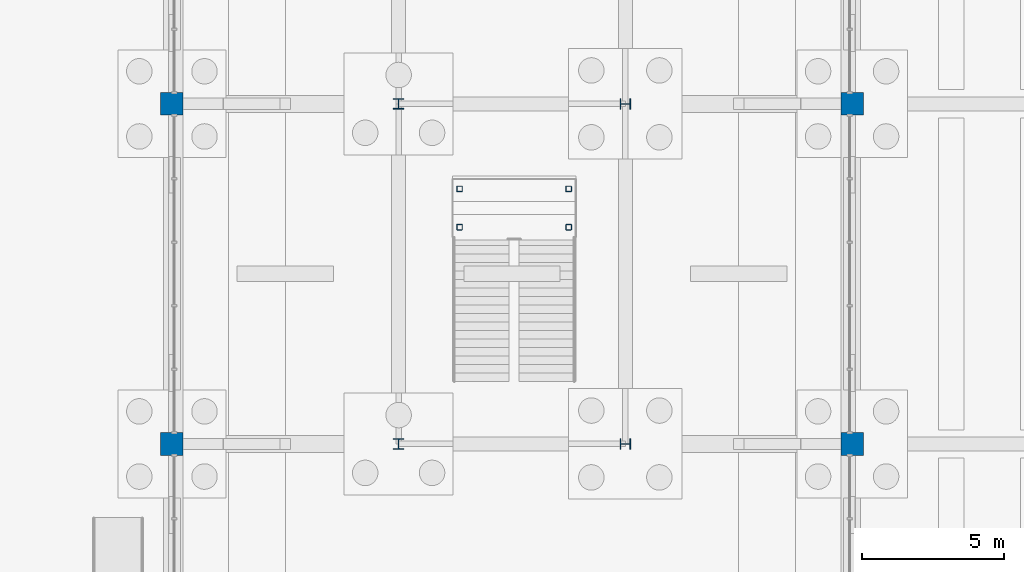
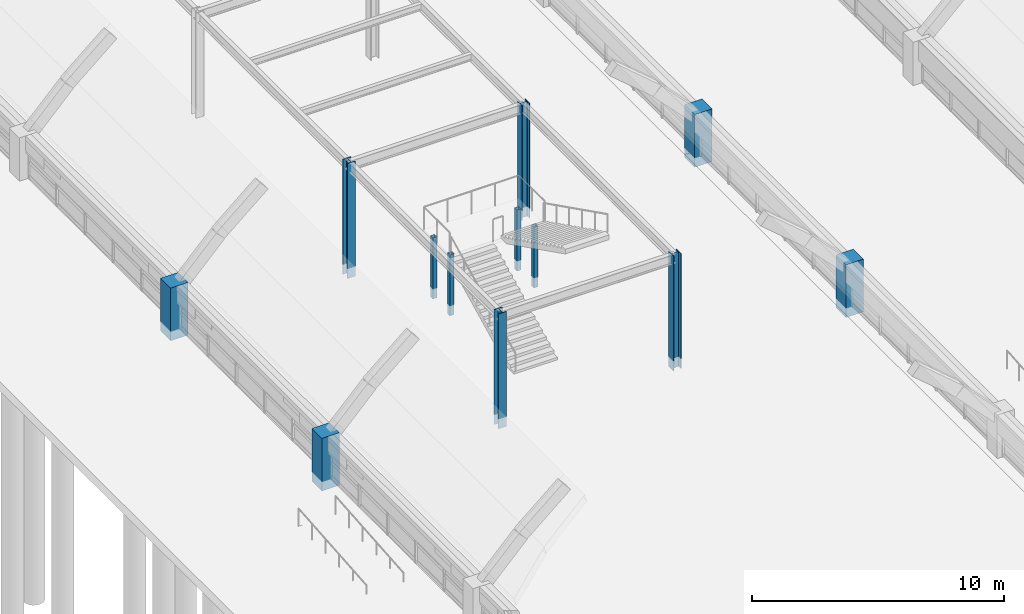
# One storey, part 15 of 129: 12 columns.
"""IFC4 building model written with IfcOpenShell, lengths in metres."""

from ifc_helpers import new_model, si_unit, direction, frame, origin, origin_2d, place, context, subcontext, project, spatial, rectangle, hollow_rectangle, i_section, extrude, material, material_profile, profile_set, type_object, element, save


model = new_model("IFC4")

# Units and contexts
model_context = context("Model", 3, precision=1e-05, world=origin(), true_north=direction((0.0, 1.0)))
body_context = subcontext(model_context, "Body", "Model", "MODEL_VIEW")
ifc_project = project(units=[si_unit("LENGTHUNIT", "METRE"), si_unit("AREAUNIT", "SQUARE_METRE"), si_unit("VOLUMEUNIT", "CUBIC_METRE"), si_unit("PLANEANGLEUNIT", "RADIAN"), si_unit("MASSUNIT", "GRAM", prefix="KILO")], contexts=[model_context])

# Site, building, storey
site_placement = place(None, origin())
site = spatial("IfcSite", under=ifc_project, at=site_placement, CompositionType="ELEMENT")
building_placement = place(site_placement, origin())
building = spatial("IfcBuilding", under=site, at=building_placement, Name="Sitalva Quay Ferry Terminal", CompositionType="ELEMENT")
storey_placement = place(building_placement, origin())
storey = spatial("IfcBuildingStorey", under=building, at=storey_placement, Name="L01", CompositionType="ELEMENT", Elevation=0.0)

# Columns
ifc_material_1 = material(Name="Concrete C40/50", Category="concrete")
ifc_material_profile_1 = material_profile(ifc_material_1, rectangle(XDim=0.800048828125, YDim=0.800048828125, at=origin_2d()), Name="RC800x800")
ifc_profile_set_1 = profile_set([ifc_material_profile_1], Name="Concrete C40/50")
column_type_1 = type_object("IfcColumnType", Name="Col_RC800x800", PredefinedType="COLUMN", material=ifc_profile_set_1)
for number, where, z_axis, x_axis, name in (
    (1, (8.0, 30.0, -0.449951171875), (0.0, 0.0, 1.0), (1.0, 0.0, 0.0), "L01 column 2E"),
    (2, (32.0, 30.0, -0.449951171875), (0.0, 0.0, 1.0), (1.0, 0.0, 0.0), "L01 column 5E"),
    (3, (8.0, 42.0, -0.449951171875), (0.0, 0.0, 1.0), (1.0, 0.0, 0.0), "L01 column 2F"),
    (4, (32.0, 42.0, -0.449951171875), (0.0, 0.0, 1.0), (1.0, 0.0, 0.0), "L01 column 5F"),
):
    element("IfcColumn", number, at=place(storey_placement, frame(where, z_axis=z_axis, x_axis=x_axis)), inside=storey, type_object=column_type_1, Name=name, PredefinedType="COLUMN", context=body_context, shape_type="SweptSolid", body=[
        extrude(rectangle(XDim=0.800048828125, YDim=0.800048828125, at=origin_2d()), origin(), (0.0, 0.0, 1.0), 2.550048828125),
    ])
ifc_material_2 = material(Name="Structural Steel S355JR", Category="steel")
ifc_material_profile_2 = material_profile(ifc_material_2, hollow_rectangle(XDim=0.199951171875, YDim=0.199951171875, WallThickness=0.010009765625, InnerFilletRadius=0.010009765625, OuterFilletRadius=0.02001953125, at=origin_2d()), Name="SHS200x200x10")
ifc_profile_set_2 = profile_set([ifc_material_profile_2], Name="Structural Steel S355JR")
column_type_2 = type_object("IfcColumnType", Name="Col_SHS200x10", PredefinedType="COLUMN", material=ifc_profile_set_2)
for number, where, z_axis, x_axis, name in (
    (5, (18.14990234375, 37.64990234375, -0.449951171875), (0.0, 0.0, 1.0), (1.0, 0.0, 0.0), "Feature stair ST-14 landing support A"),
    (6, (22.0, 37.64990234375, -0.449951171875), (0.0, 0.0, 1.0), (1.0, 0.0, 0.0), "Feature stair ST-14 landing support B"),
    (7, (18.14990234375, 39.0, -0.449951171875), (0.0, 0.0, 1.0), (1.0, 0.0, 0.0), "Feature stair ST-14 landing support C"),
    (8, (22.0, 39.0, -0.449951171875), (0.0, 0.0, 1.0), (1.0, 0.0, 0.0), "Feature stair ST-14 landing support D"),
):
    element("IfcColumn", number, at=place(storey_placement, frame(where, z_axis=z_axis, x_axis=x_axis)), inside=storey, type_object=column_type_2, Name=name, PredefinedType="COLUMN", context=body_context, shape_type="SweptSolid", body=[
        extrude(hollow_rectangle(XDim=0.199951171875, YDim=0.199951171875, WallThickness=0.010009765625, InnerFilletRadius=0.010009765625, OuterFilletRadius=0.02001953125, at=origin_2d()), origin(), (0.0, 0.0, 1.0), 2.949951171875),
    ])
ifc_material_3 = material(Name="Structural Steel S355JR", Category="steel")
ifc_material_profile_3 = material_profile(ifc_material_3, i_section(OverallWidth=0.3740234375, OverallDepth=0.3720703125, WebThickness=0.016357421875, FlangeThickness=0.026123046875, FilletRadius=0.01611328125, at=origin_2d()), Name="W360x196")
ifc_profile_set_3 = profile_set([ifc_material_profile_3], Name="Structural Steel S355JR")
column_type_3 = type_object("IfcColumnType", Name="Col_W360x196", PredefinedType="COLUMN", material=ifc_profile_set_3)
for number, where, z_axis, x_axis, name in (
    (9, (16.0, 30.0, -0.449951171875), (0.0, 0.0, 1.0), (1.0, 0.0, 0.0), "L01 column 3E"),
    (10, (24.0, 30.0, -0.449951171875), (0.0, 0.0, 1.0), (0.0, 1.0, 0.0), "L01 column 4E"),
    (11, (16.0, 42.0, -0.449951171875), (0.0, 0.0, 1.0), (1.0, 0.0, 0.0), "L01 column 3F"),
    (12, (24.0, 42.0, -0.449951171875), (0.0, 0.0, 1.0), (0.0, 1.0, 0.0), "L01 column 4F"),
):
    element("IfcColumn", number, at=place(storey_placement, frame(where, z_axis=z_axis, x_axis=x_axis)), inside=storey, type_object=column_type_3, Name=name, PredefinedType="COLUMN", context=body_context, shape_type="SweptSolid", body=[
        extrude(i_section(OverallWidth=0.3740234375, OverallDepth=0.3720703125, WebThickness=0.016357421875, FlangeThickness=0.026123046875, FilletRadius=0.01611328125, at=origin_2d()), origin(), (0.0, 0.0, 1.0), 5.570068359375),
    ])

save(model, "model.ifc")
